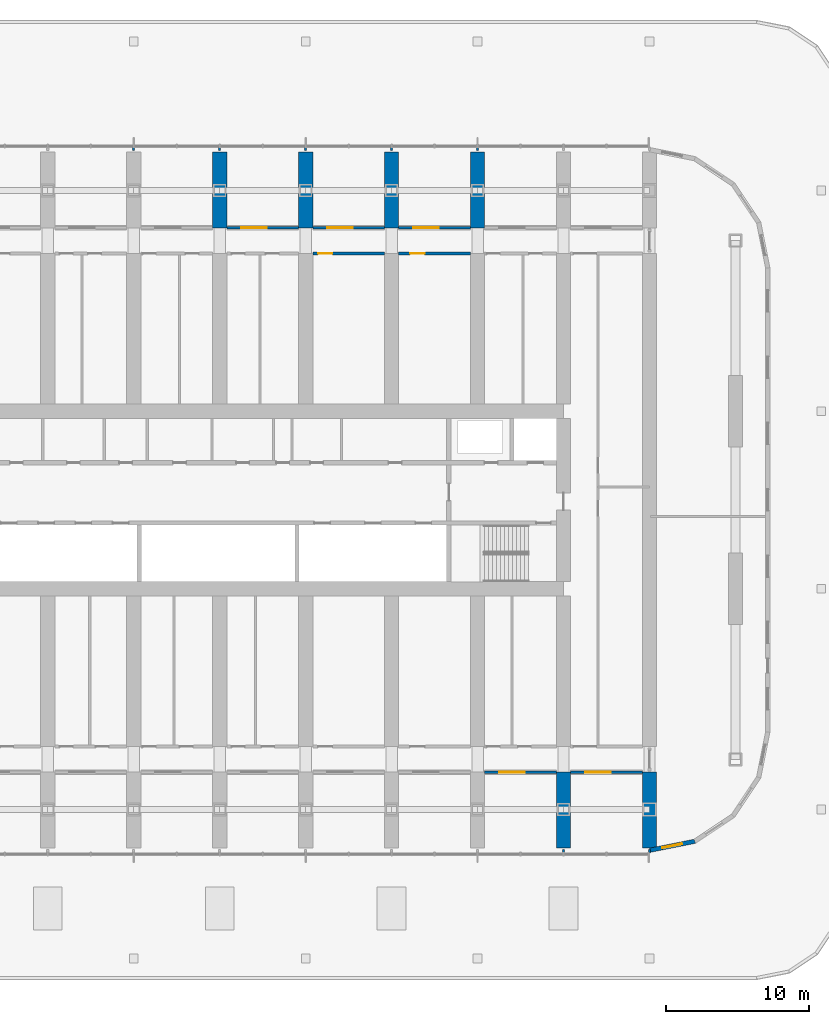
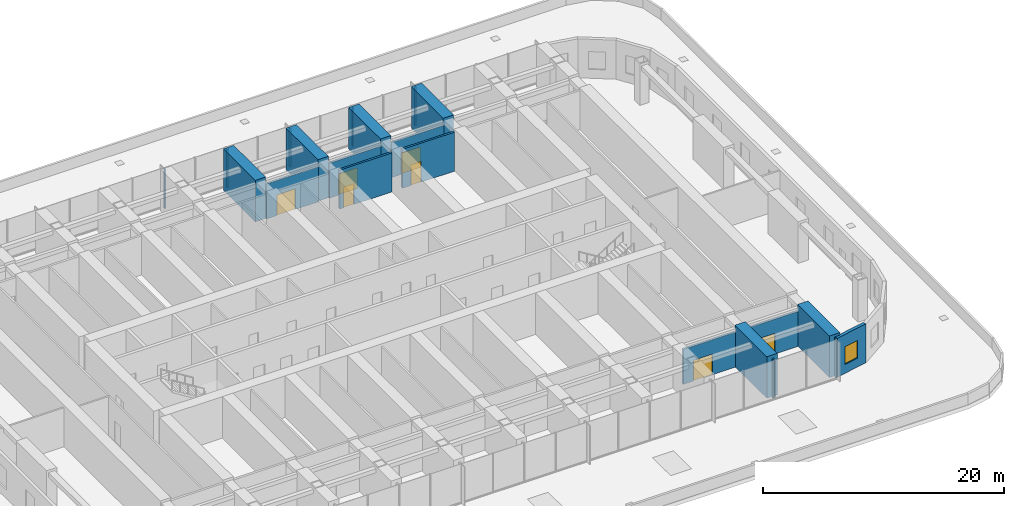
# One storey, part 15 of 23: 21 walls, 7 doors, 1 window, 8 openings.
"""IFC4 building model written with IfcOpenShell, lengths in metres."""

from ifc_helpers import new_model, si_unit, direction, frame, frame_2d, origin, place, context, subcontext, project, spatial, polyline, rectangle, outline, extrude, material, layer, layer_set, type_object, element, fill, save


model = new_model("IFC4")

# Units and contexts
model_context = context("Model", 3, precision=1e-05, world=origin(), true_north=direction((0.0, 1.0)))
body_context = subcontext(model_context, "Body", "Model", "MODEL_VIEW")
ifc_project = project(units=[si_unit("LENGTHUNIT", "METRE"), si_unit("AREAUNIT", "SQUARE_METRE"), si_unit("VOLUMEUNIT", "CUBIC_METRE"), si_unit("PLANEANGLEUNIT", "RADIAN"), si_unit("MASSUNIT", "GRAM", prefix="KILO")], contexts=[model_context])

# Site, building, storey
site_placement = place(None, origin())
site = spatial("IfcSite", under=ifc_project, at=site_placement, CompositionType="ELEMENT")
building_placement = place(site_placement, origin())
building = spatial("IfcBuilding", under=site, at=building_placement, Name="Orbita Commons", CompositionType="ELEMENT")
storey_placement = place(building_placement, frame((0.0, 0.0, 16.0)))
storey = spatial("IfcBuildingStorey", under=building, at=storey_placement, Name="L03", CompositionType="ELEMENT", Elevation=16.0)

# Wall, opening, door
ifc_material_1 = material(Name="Concrete blockwork", Category="masonry")
ifc_layer_1 = layer(ifc_material_1, 0.199951171875)
ifc_layer_set_1 = layer_set([ifc_layer_1], Name="Concrete blockwork")
wall_type_1 = type_object("IfcWallType", Name="Corridor wall 200 blockwork", PredefinedType="SOLIDWALL", material=ifc_layer_set_1)
wall_1_placement = place(storey_placement, frame((60.5, 13.0, 0.0), z_axis=(0.0, 0.0, 1.0), x_axis=(1.0, 0.0, 0.0)))
wall_1 = element("IfcWall", 1, at=wall_1_placement, inside=storey, type_object=wall_type_1, Name="Corridor wall 200 blockwork L03", PredefinedType="SOLIDWALL", context=body_context, shape_type="SweptSolid", body=[
    extrude(outline(polyline([(0.0, 0.0), (5.0, 0.0), (5.0, 3.550048828125), (0.0, 3.550048828125), (0.0, 0.0)])), frame((0.0, 0.10009765625, 0.0), z_axis=(0.0, -1.0, 0.0), x_axis=(1.0, 0.0, 0.0)), (0.0, 0.0, 1.0), 0.199951171875),
])
opening_1_placement = place(wall_1_placement, frame((1.0, 0.0, 0.0)))
opening_1 = element("IfcOpeningElement", 2, at=opening_1_placement, cuts=wall_1, Name="Opening D07", PredefinedType="OPENING", context=body_context, shape_type="SweptSolid", body=[
    extrude(rectangle(XDim=1.800048828125, YDim=2.10009765625, at=frame_2d((0.89990234375, 1.050048828125))), frame((0.0, 0.10986328125, 0.0), z_axis=(0.0, -1.0, 0.0), x_axis=(1.0, 0.0, 0.0)), (0.0, 0.0, 1.0), 0.219970703125),
])
ifc_material_2 = material(Name="Steel-faced fire door leaf", Category="steel")
door_type_1 = type_object("IfcDoorType", Name="Double corridor door 20 min 1800x2100", OperationType="DOUBLE_DOOR_SINGLE_SWING", PredefinedType="DOOR", material=ifc_material_2)
door_1_placement = place(opening_1_placement, origin())
door_1 = element("IfcDoor", 3, at=door_1_placement, inside=storey, type_object=door_type_1, Name="Writing room L03-SF8 doors", OperationType="DOUBLE_DOOR_SINGLE_SWING", OverallHeight=2.10009765625, OverallWidth=1.800048828125, PredefinedType="DOOR", context=body_context, shape_type="SweptSolid", body=[
    extrude(rectangle(XDim=1.800048828125, YDim=2.10009765625, at=frame_2d((0.89990234375, 1.050048828125))), frame((0.0, 0.02490234375, 0.0), z_axis=(0.0, -1.0, 0.0), x_axis=(1.0, 0.0, 0.0)), (0.0, 0.0, 1.0), 0.050048828125),
])
fill(opening_1, door_1)

wall_2_placement = place(storey_placement, frame((66.5, 13.0, 0.0), z_axis=(0.0, 0.0, 1.0), x_axis=(1.0, 0.0, 0.0)))
wall_2 = element("IfcWall", 4, at=wall_2_placement, inside=storey, type_object=wall_type_1, Name="Corridor wall 200 blockwork L03", PredefinedType="SOLIDWALL", context=body_context, shape_type="SweptSolid", body=[
    extrude(outline(polyline([(0.0, 0.0), (5.0, 0.0), (5.0, 3.550048828125), (0.0, 3.550048828125), (0.0, 0.0)])), frame((0.0, 0.10009765625, 0.0), z_axis=(0.0, -1.0, 0.0), x_axis=(1.0, 0.0, 0.0)), (0.0, 0.0, 1.0), 0.199951171875),
])
opening_2_placement = place(wall_2_placement, frame((1.0, 0.0, 0.0)))
opening_2 = element("IfcOpeningElement", 5, at=opening_2_placement, cuts=wall_2, Name="Opening D07", PredefinedType="OPENING", context=body_context, shape_type="SweptSolid", body=[
    extrude(rectangle(XDim=1.800048828125, YDim=2.10009765625, at=frame_2d((0.89990234375, 1.050048828125))), frame((0.0, 0.10986328125, 0.0), z_axis=(0.0, -1.0, 0.0), x_axis=(1.0, 0.0, 0.0)), (0.0, 0.0, 1.0), 0.219970703125),
])
door_2_placement = place(opening_2_placement, origin())
door_2 = element("IfcDoor", 6, at=door_2_placement, inside=storey, type_object=door_type_1, Name="Tutorial room L03-SF9 doors", OperationType="DOUBLE_DOOR_SINGLE_SWING", OverallHeight=2.10009765625, OverallWidth=1.800048828125, PredefinedType="DOOR", context=body_context, shape_type="SweptSolid", body=[
    extrude(rectangle(XDim=1.800048828125, YDim=2.10009765625, at=frame_2d((0.89990234375, 1.050048828125))), frame((0.0, 0.02490234375, 0.0), z_axis=(0.0, -1.0, 0.0), x_axis=(1.0, 0.0, 0.0)), (0.0, 0.0, 1.0), 0.050048828125),
])
fill(opening_2, door_2)

wall_3_placement = place(storey_placement, frame((42.5, 51.0, 0.0), z_axis=(0.0, 0.0, 1.0), x_axis=(1.0, 0.0, 0.0)))
wall_3 = element("IfcWall", 7, at=wall_3_placement, inside=storey, type_object=wall_type_1, Name="Corridor wall 200 blockwork L03", PredefinedType="SOLIDWALL", context=body_context, shape_type="SweptSolid", body=[
    extrude(outline(polyline([(0.0, 0.0), (5.0, 0.0), (5.0, 3.550048828125), (0.0, 3.550048828125), (0.0, 0.0)])), frame((0.0, 0.10009765625, 0.0), z_axis=(0.0, -1.0, 0.0), x_axis=(1.0, 0.0, 0.0)), (0.0, 0.0, 1.0), 0.199951171875),
])
opening_3_placement = place(wall_3_placement, frame((1.0, 0.0, 0.0)))
opening_3 = element("IfcOpeningElement", 8, at=opening_3_placement, cuts=wall_3, Name="Opening D07", PredefinedType="OPENING", context=body_context, shape_type="SweptSolid", body=[
    extrude(rectangle(XDim=1.800048828125, YDim=2.10009765625, at=frame_2d((0.89990234375, 1.050048828125))), frame((0.0, 0.10986328125, 0.0), z_axis=(0.0, -1.0, 0.0), x_axis=(1.0, 0.0, 0.0)), (0.0, 0.0, 1.0), 0.219970703125),
])
door_3_placement = place(opening_3_placement, origin())
door_3 = element("IfcDoor", 9, at=door_3_placement, inside=storey, type_object=door_type_1, Name="Media studio L03-NF5 doors", OperationType="DOUBLE_DOOR_SINGLE_SWING", OverallHeight=2.10009765625, OverallWidth=1.800048828125, PredefinedType="DOOR", context=body_context, shape_type="SweptSolid", body=[
    extrude(rectangle(XDim=1.800048828125, YDim=2.10009765625, at=frame_2d((0.89990234375, 1.050048828125))), frame((0.0, 0.02490234375, 0.0), z_axis=(0.0, -1.0, 0.0), x_axis=(1.0, 0.0, 0.0)), (0.0, 0.0, 1.0), 0.050048828125),
])
fill(opening_3, door_3)

wall_4_placement = place(storey_placement, frame((48.5, 51.0, 0.0), z_axis=(0.0, 0.0, 1.0), x_axis=(1.0, 0.0, 0.0)))
wall_4 = element("IfcWall", 10, at=wall_4_placement, inside=storey, type_object=wall_type_1, Name="Corridor wall 200 blockwork L03", PredefinedType="SOLIDWALL", context=body_context, shape_type="SweptSolid", body=[
    extrude(outline(polyline([(0.0, 0.0), (5.0, 0.0), (5.0, 3.550048828125), (0.0, 3.550048828125), (0.0, 0.0)])), frame((0.0, 0.10009765625, 0.0), z_axis=(0.0, -1.0, 0.0), x_axis=(1.0, 0.0, 0.0)), (0.0, 0.0, 1.0), 0.199951171875),
])
opening_4_placement = place(wall_4_placement, frame((1.0, 0.0, 0.0)))
opening_4 = element("IfcOpeningElement", 11, at=opening_4_placement, cuts=wall_4, Name="Opening D07", PredefinedType="OPENING", context=body_context, shape_type="SweptSolid", body=[
    extrude(rectangle(XDim=1.800048828125, YDim=2.10009765625, at=frame_2d((0.89990234375, 1.050048828125))), frame((0.0, 0.10986328125, 0.0), z_axis=(0.0, -1.0, 0.0), x_axis=(1.0, 0.0, 0.0)), (0.0, 0.0, 1.0), 0.219970703125),
])
door_4_placement = place(opening_4_placement, origin())
door_4 = element("IfcDoor", 12, at=door_4_placement, inside=storey, type_object=door_type_1, Name="Quiet work room north L03-NF6 doors", OperationType="DOUBLE_DOOR_SINGLE_SWING", OverallHeight=2.10009765625, OverallWidth=1.800048828125, PredefinedType="DOOR", context=body_context, shape_type="SweptSolid", body=[
    extrude(rectangle(XDim=1.800048828125, YDim=2.10009765625, at=frame_2d((0.89990234375, 1.050048828125))), frame((0.0, 0.02490234375, 0.0), z_axis=(0.0, -1.0, 0.0), x_axis=(1.0, 0.0, 0.0)), (0.0, 0.0, 1.0), 0.050048828125),
])
fill(opening_4, door_4)

wall_5_placement = place(storey_placement, frame((54.5, 51.0, 0.0), z_axis=(0.0, 0.0, 1.0), x_axis=(1.0, 0.0, 0.0)))
wall_5 = element("IfcWall", 13, at=wall_5_placement, inside=storey, type_object=wall_type_1, Name="Corridor wall 200 blockwork L03", PredefinedType="SOLIDWALL", context=body_context, shape_type="SweptSolid", body=[
    extrude(outline(polyline([(0.0, 0.0), (5.0, 0.0), (5.0, 3.550048828125), (0.0, 3.550048828125), (0.0, 0.0)])), frame((0.0, 0.10009765625, 0.0), z_axis=(0.0, -1.0, 0.0), x_axis=(1.0, 0.0, 0.0)), (0.0, 0.0, 1.0), 0.199951171875),
])
opening_5_placement = place(wall_5_placement, frame((1.0, 0.0, 0.0)))
opening_5 = element("IfcOpeningElement", 14, at=opening_5_placement, cuts=wall_5, Name="Opening D07", PredefinedType="OPENING", context=body_context, shape_type="SweptSolid", body=[
    extrude(rectangle(XDim=1.800048828125, YDim=2.10009765625, at=frame_2d((0.89990234375, 1.050048828125))), frame((0.0, 0.10986328125, 0.0), z_axis=(0.0, -1.0, 0.0), x_axis=(1.0, 0.0, 0.0)), (0.0, 0.0, 1.0), 0.219970703125),
])
door_5_placement = place(opening_5_placement, origin())
door_5 = element("IfcDoor", 15, at=door_5_placement, inside=storey, type_object=door_type_1, Name="Interview room L03-NF7 doors", OperationType="DOUBLE_DOOR_SINGLE_SWING", OverallHeight=2.10009765625, OverallWidth=1.800048828125, PredefinedType="DOOR", context=body_context, shape_type="SweptSolid", body=[
    extrude(rectangle(XDim=1.800048828125, YDim=2.10009765625, at=frame_2d((0.89990234375, 1.050048828125))), frame((0.0, 0.02490234375, 0.0), z_axis=(0.0, -1.0, 0.0), x_axis=(1.0, 0.0, 0.0)), (0.0, 0.0, 1.0), 0.050048828125),
])
fill(opening_5, door_5)

ifc_material_3 = material(Name="Hollow concrete block 200", Category="concrete")
ifc_layer_2 = layer(ifc_material_3, 0.199951171875)
ifc_layer_set_2 = layer_set([ifc_layer_2], Name="Hollow concrete block 200")
wall_type_2 = type_object("IfcWallType", Name="Corridor wall 200 hollow concrete block", PredefinedType="SOLIDWALL", material=ifc_layer_set_2)
wall_6_placement = place(storey_placement, frame((48.5, 49.199951171875, 0.0), z_axis=(0.0, 0.0, 1.0), x_axis=(1.0, 0.0, 0.0)))
wall_6 = element("IfcWall", 16, at=wall_6_placement, inside=storey, type_object=wall_type_2, Name="Corridor wall 200 hollow concrete block L03", PredefinedType="SOLIDWALL", context=body_context, shape_type="SweptSolid", body=[
    extrude(rectangle(XDim=5.0, YDim=0.199951171875, at=frame_2d((2.5, 0.0))), origin(), (0.0, 0.0, 1.0), 3.949951171875),
])
opening_6_placement = place(wall_6_placement, frame((0.375, 0.0, 0.0)))
opening_6 = element("IfcOpeningElement", 17, at=opening_6_placement, cuts=wall_6, Name="Opening D06", PredefinedType="OPENING", context=body_context, shape_type="SweptSolid", body=[
    extrude(rectangle(XDim=1.0, YDim=2.10009765625, at=frame_2d((0.5, 1.050048828125))), frame((0.0, 0.10986328125, 0.0), z_axis=(0.0, -1.0, 0.0), x_axis=(1.0, 0.0, 0.0)), (0.0, 0.0, 1.0), 0.219970703125),
])
ifc_material_4 = material(Name="Steel-faced fire door leaf", Category="steel")
door_type_2 = type_object("IfcDoorType", Name="Corridor door 20 min 1000x2100", OperationType="SINGLE_SWING_LEFT", PredefinedType="DOOR", material=ifc_material_4)
door_6_placement = place(opening_6_placement, origin())
door_6 = element("IfcDoor", 18, at=door_6_placement, inside=storey, type_object=door_type_2, Name="Pantry L03-BDN48 door", OperationType="SINGLE_SWING_LEFT", OverallHeight=2.10009765625, OverallWidth=1.0, PredefinedType="DOOR", context=body_context, shape_type="SweptSolid", body=[
    extrude(rectangle(XDim=1.0, YDim=2.10009765625, at=frame_2d((0.5, 1.050048828125))), frame((0.0, 0.02490234375, 0.0), z_axis=(0.0, -1.0, 0.0), x_axis=(1.0, 0.0, 0.0)), (0.0, 0.0, 1.0), 0.050048828125),
])
fill(opening_6, door_6)

wall_7_placement = place(storey_placement, frame((54.5, 49.199951171875, 0.0), z_axis=(0.0, 0.0, 1.0), x_axis=(1.0, 0.0, 0.0)))
wall_7 = element("IfcWall", 19, at=wall_7_placement, inside=storey, type_object=wall_type_2, Name="Corridor wall 200 hollow concrete block L03", PredefinedType="SOLIDWALL", context=body_context, shape_type="SweptSolid", body=[
    extrude(rectangle(XDim=5.0, YDim=0.199951171875, at=frame_2d((2.5, 0.0))), origin(), (0.0, 0.0, 1.0), 3.949951171875),
])
opening_7_placement = place(wall_7_placement, frame((0.800048828125, 0.0, 0.0)))
opening_7 = element("IfcOpeningElement", 20, at=opening_7_placement, cuts=wall_7, Name="Opening D06", PredefinedType="OPENING", context=body_context, shape_type="SweptSolid", body=[
    extrude(rectangle(XDim=1.0, YDim=2.10009765625, at=frame_2d((0.5, 1.050048828125))), frame((0.0, 0.10986328125, 0.0), z_axis=(0.0, -1.0, 0.0), x_axis=(1.0, 0.0, 0.0)), (0.0, 0.0, 1.0), 0.219970703125),
])
door_7_placement = place(opening_7_placement, origin())
door_7 = element("IfcDoor", 21, at=door_7_placement, inside=storey, type_object=door_type_2, Name="Store L03-BDN54 door", OperationType="SINGLE_SWING_LEFT", OverallHeight=2.10009765625, OverallWidth=1.0, PredefinedType="DOOR", context=body_context, shape_type="SweptSolid", body=[
    extrude(rectangle(XDim=1.0, YDim=2.10009765625, at=frame_2d((0.5, 1.050048828125))), frame((0.0, 0.02490234375, 0.0), z_axis=(0.0, -1.0, 0.0), x_axis=(1.0, 0.0, 0.0)), (0.0, 0.0, 1.0), 0.050048828125),
])
fill(opening_7, door_7)

# Walls
ifc_material_5 = material(Name="Concrete C50/60", Category="concrete")
ifc_layer_3 = layer(ifc_material_5, 1.0)
ifc_layer_set_3 = layer_set([ifc_layer_3], Name="Concrete C50/60")
wall_type_3 = type_object("IfcWallType", Name="Cross wall 1000 C50/60", PredefinedType="SHEAR", material=ifc_layer_set_3)
for number, where, z_axis, x_axis, name in (
    (22, (42.0, 51.0, 0.0), (0.0, 0.0, 1.0), (0.0, 1.0, 0.0), "Cross wall 8 north outer L03"),
    (23, (48.0, 51.0, 0.0), (0.0, 0.0, 1.0), (0.0, 1.0, 0.0), "Cross wall 9 north outer L03"),
    (24, (54.0, 51.0, 0.0), (0.0, 0.0, 1.0), (0.0, 1.0, 0.0), "Cross wall 10 north outer L03"),
    (25, (60.0, 51.0, 0.0), (0.0, 0.0, 1.0), (0.0, 1.0, 0.0), "Cross wall 11 north outer L03"),
    (26, (66.0, 7.699951171875, 0.0), (0.0, 0.0, 1.0), (0.0, 1.0, 0.0), "Cross wall 12 south outer L03"),
    (27, (72.0, 7.699951171875, 0.0), (0.0, 0.0, 1.0), (0.0, 1.0, 0.0), "Cross wall 13 south outer L03"),
):
    element("IfcWall", number, at=place(storey_placement, frame(where, z_axis=z_axis, x_axis=x_axis)), inside=storey, type_object=wall_type_3, Name=name, PredefinedType="SHEAR", context=body_context, shape_type="SweptSolid", body=[
        extrude(rectangle(XDim=5.300048828125, YDim=1.0, at=frame_2d((2.64990234375, 0.0))), origin(), (0.0, 0.0, 1.0), 4.199951171875),
    ])
ifc_material_6 = material(Name="Gypsum plasterboard on steel studs", Category="steel")
ifc_layer_4 = layer(ifc_material_6, 0.14990234375)
ifc_layer_set_4 = layer_set([ifc_layer_4], Name="Gypsum plasterboard on steel studs")
wall_type_4 = type_object("IfcWallType", Name="Partition 150 plasterboard", PredefinedType="PARTITIONING", material=ifc_layer_set_4)
for number, where, z_axis, x_axis, name in (
    (28, (36.0, 56.39990234375, 0.0), (0.0, 0.0, 1.0), (0.0, 1.0, 0.0), "Partition 150 plasterboard L03"),
    (29, (42.0, 56.39990234375, 0.0), (0.0, 0.0, 1.0), (0.0, 1.0, 0.0), "Partition 150 plasterboard L03"),
    (30, (48.0, 56.39990234375, 0.0), (0.0, 0.0, 1.0), (0.0, 1.0, 0.0), "Partition 150 plasterboard L03"),
    (31, (54.0, 56.39990234375, 0.0), (0.0, 0.0, 1.0), (0.0, 1.0, 0.0), "Partition 150 plasterboard L03"),
    (32, (60.0, 56.39990234375, 0.0), (0.0, 0.0, 1.0), (0.0, 1.0, 0.0), "Partition 150 plasterboard L03"),
    (33, (66.0, 7.60009765625, 0.0), (0.0, 0.0, 1.0), (0.0, -1.0, 0.0), "Partition 150 plasterboard L03"),
):
    element("IfcWall", number, at=place(storey_placement, frame(where, z_axis=z_axis, x_axis=x_axis)), inside=storey, type_object=wall_type_4, Name=name, PredefinedType="PARTITIONING", context=body_context, shape_type="SweptSolid", body=[
        extrude(rectangle(XDim=0.190185546875, YDim=0.14990234375, at=frame_2d((0.09521484375, 0.0))), origin(), (0.0, 0.0, 1.0), 3.949951171875),
    ])
wall_8_placement = place(storey_placement, frame((72.0, 7.60009765625, 0.0), z_axis=(0.0, 0.0, 1.0), x_axis=(0.0, -1.0, 0.0)))
element("IfcWall", 34, at=wall_8_placement, inside=storey, type_object=wall_type_4, Name="Partition 150 plasterboard L03", PredefinedType="PARTITIONING", context=body_context, shape_type="SweptSolid", body=[
    extrude(rectangle(XDim=0.22021484375, YDim=0.14990234375, at=frame_2d((0.110107421875, 0.0))), origin(), (0.0, 0.0, 1.0), 3.949951171875),
])

# Wall, opening, window
ifc_material_7 = material(Name="Precast concrete C40/50, white board-marked finish", Category="concrete")
ifc_layer_5 = layer(ifc_material_7, 0.300048828125)
ifc_layer_set_5 = layer_set([ifc_layer_5], Name="Precast concrete C40/50, white board-marked finish")
wall_type_5 = type_object("IfcWallType", Name="Precast concrete end shield 300", PredefinedType="SOLIDWALL", material=ifc_layer_set_5)
wall_9_placement = place(storey_placement, frame((72.0, 7.550048828125, 0.0), z_axis=(0.0, 0.0, 1.0), x_axis=(0.980787251524, 0.195080412259, 0.0)))
wall_9 = element("IfcWall", 35, at=wall_9_placement, inside=storey, type_object=wall_type_5, Name="End shield SE chord 1 L03", PredefinedType="SOLIDWALL", context=body_context, shape_type="SweptSolid", body=[
    extrude(outline(polyline([(-0.02978515625, -0.14990234375), (3.24853515625, -0.14990234375), (3.18896484375, 0.14990234375), (0.02978515625, 0.14990234375), (-0.02978515625, -0.14990234375)])), origin(), (0.0, 0.0, 1.0), 3.949951171875),
])
opening_8_placement = place(wall_9_placement, frame((0.909423828125, 0.0, 0.89990234375)))
opening_8 = element("IfcOpeningElement", 36, at=opening_8_placement, cuts=wall_9, Name="Opening W02", PredefinedType="OPENING", context=body_context, shape_type="SweptSolid", body=[
    extrude(rectangle(XDim=1.39990234375, YDim=1.800048828125, at=frame_2d((0.699951171875, 0.89990234375))), frame((0.0, 0.159912109375, 0.0), z_axis=(0.0, -1.0, 0.0), x_axis=(1.0, 0.0, 0.0)), (0.0, 0.0, 1.0), 0.320068359375),
])
ifc_material_8 = material(Name="Aluminium frame, clear double glazing", Category="aluminium")
window_type = type_object("IfcWindowType", Name="Deep-set window 1400x1800", PartitioningType="SINGLE_PANEL", PredefinedType="WINDOW", material=ifc_material_8)
window_placement = place(opening_8_placement, origin())
window = element("IfcWindow", 37, at=window_placement, inside=storey, type_object=window_type, Name="Window L03-SE0", OverallHeight=1.800048828125, OverallWidth=1.39990234375, PartitioningType="SINGLE_PANEL", PredefinedType="WINDOW", context=body_context, shape_type="SweptSolid", body=[
    extrude(rectangle(XDim=1.39990234375, YDim=1.800048828125, at=frame_2d((0.699951171875, 0.89990234375))), frame((0.0, 0.030029296875, 0.0), z_axis=(0.0, -1.0, 0.0), x_axis=(1.0, 0.0, 0.0)), (0.0, 0.0, 1.0), 0.06005859375),
])
fill(opening_8, window)

save(model, "model.ifc")
